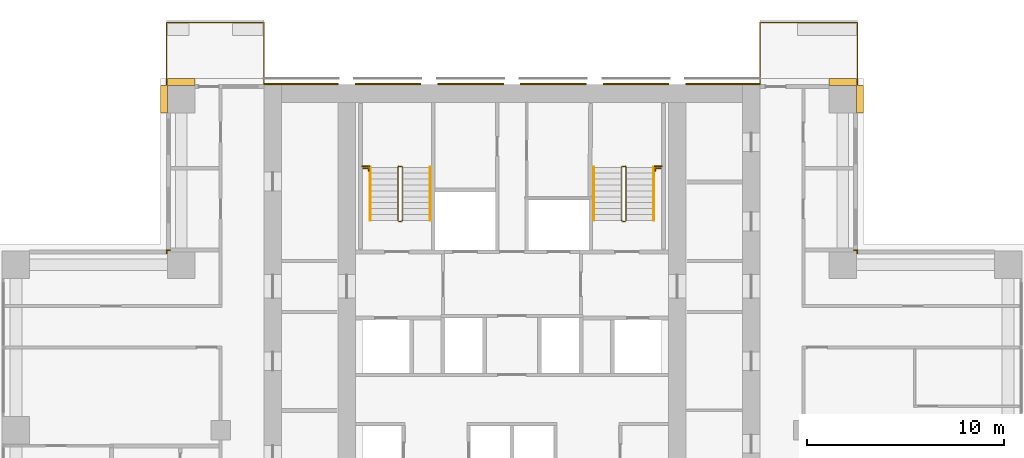
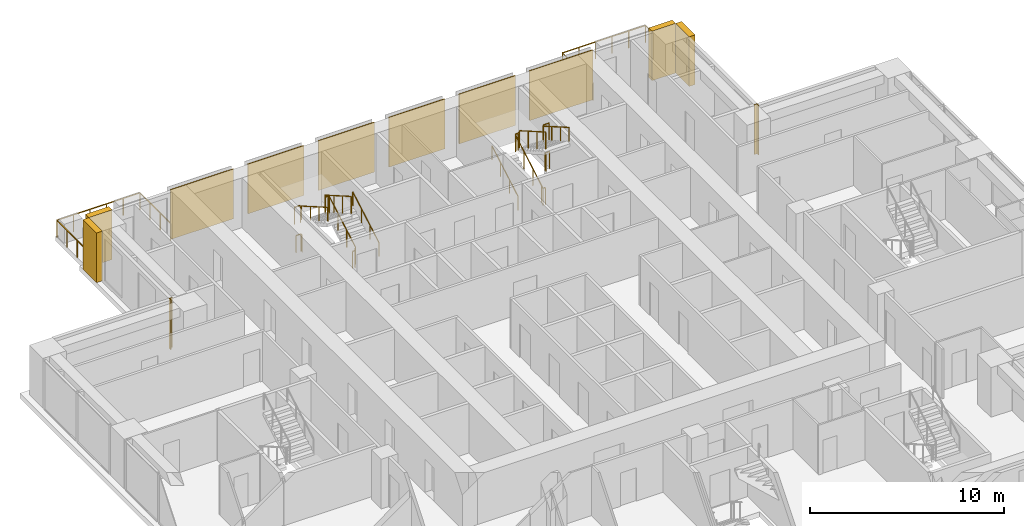
# One storey, part 17 of 17: 12 coverings, 12 railings.
"""IFC4 building model written with IfcOpenShell, lengths in metres."""

import ifcopenshell
import ifcopenshell.guid

model = None  # the IFC model being written
_history = None  # IfcOwnerHistory: only IFC2X3 demands one
_inside = {}  # id of a spatial element -> (the spatial element, [elements in it])
_under = {}  # id of a project, library or spatial element -> (it, [spatial elements below it])
_declared = {}  # id of a project -> (the project, [libraries it declares])
_typed = {}  # id of a type object -> (the type object, [elements of that type])
_made_of = {}  # id of a material, layer set ... -> (it, [elements and type objects made of it])


def new_model(schema):
    """Start an empty IFC model of exactly this schema.

    Asked for "IFC4X3", IfcOpenShell would pick the latest addendum, in which some entities
    have other attributes; the version numbers below select the first issue.
    IFC2X3 requires an IfcOwnerHistory on every rooted entity: one is made here for all.
    """
    global model, _history
    if schema == "IFC4X3":
        model = ifcopenshell.file(schema_version=(4, 3, 0, 0))
    else:
        model = ifcopenshell.file(schema=schema)
    _inside.clear()
    _under.clear()
    _declared.clear()
    _typed.clear()
    _made_of.clear()
    _history = None
    if model.schema == "IFC2X3":
        org = make("IfcOrganization", Name="unknown")
        user = make(
            "IfcPersonAndOrganization",
            ThePerson=make("IfcPerson", FamilyName="unknown"),
            TheOrganization=org,
        )
        app = make(
            "IfcApplication",
            ApplicationDeveloper=org,
            Version="unknown",
            ApplicationFullName="unknown",
            ApplicationIdentifier="unknown",
        )
        _history = make(
            "IfcOwnerHistory",
            OwningUser=user,
            OwningApplication=app,
            ChangeAction="ADDED",
            CreationDate=0,
        )
    return model


def make(cls, **values):
    """One entity of the class cls with the attributes given. An attribute that is None is left unset."""
    return model.create_entity(
        cls, **{name: value for name, value in values.items() if value is not None}
    )


def rooted(cls, **values):
    """An entity with a GlobalId (a new one), such as an element, a storey or a relation."""
    return make(cls, GlobalId=ifcopenshell.guid.new(), OwnerHistory=_history, **values)


def si_unit(unit_type, name, prefix=None):
    """IfcSIUnit, for example si_unit("LENGTHUNIT", "METRE", prefix="MILLI")."""
    return make("IfcSIUnit", UnitType=unit_type, Prefix=prefix, Name=name)


def assignment(units):
    """IfcUnitAssignment: the units of a project."""
    return None if units is None else make("IfcUnitAssignment", Units=units)


def point(xyz):
    """IfcCartesianPoint."""
    return None if xyz is None else make("IfcCartesianPoint", Coordinates=xyz)


def direction(xyz):
    """IfcDirection."""
    return None if xyz is None else make("IfcDirection", DirectionRatios=xyz)


def frame(location, z_axis=None, x_axis=None):
    """IfcAxis2Placement3D, a coordinate frame: its origin and axes. An axis left out is left unset."""
    return make(
        "IfcAxis2Placement3D",
        Location=point(location),
        Axis=direction(z_axis),
        RefDirection=direction(x_axis),
    )


def frame_2d(location, x_axis=None):
    """IfcAxis2Placement2D, a coordinate frame in the plane: its origin and x axis."""
    return make(
        "IfcAxis2Placement2D", Location=point(location), RefDirection=direction(x_axis)
    )


def origin():
    """The frame at (0, 0, 0) with its axes left unset."""
    return frame((0.0, 0.0, 0.0))


def origin_2d():
    """The frame at (0, 0) in the plane with its x axis left unset."""
    return frame_2d((0.0, 0.0))


def place(relative_to, where):
    """IfcLocalPlacement: puts the frame where relative to a parent placement (None: the world)."""
    return make(
        "IfcLocalPlacement", PlacementRelTo=relative_to, RelativePlacement=where
    )


def context(
    kind, dimensions, precision=None, world=None, true_north=None, identifier=None
):
    """IfcGeometricRepresentationContext, for example the 3D "Model" context."""
    return make(
        "IfcGeometricRepresentationContext",
        ContextIdentifier=identifier,
        ContextType=kind,
        CoordinateSpaceDimension=dimensions,
        Precision=precision,
        WorldCoordinateSystem=world,
        TrueNorth=true_north,
    )


def subcontext(parent, identifier, kind, view, scale=None):
    """IfcGeometricRepresentationSubContext, for example "Body" below "Model"."""
    return make(
        "IfcGeometricRepresentationSubContext",
        ContextIdentifier=identifier,
        ContextType=kind,
        ParentContext=parent,
        TargetScale=scale,
        TargetView=view,
    )


def project(units=None, contexts=None):
    """IfcProject with its units and contexts."""
    return rooted(
        "IfcProject",
        Name="project",
        RepresentationContexts=contexts,
        UnitsInContext=assignment(units),
    )


def spatial(cls, under=None, at=None, **own):
    """A site, building, storey or space (cls), placed at a placement, below another one or the project."""
    s = rooted(cls, ObjectPlacement=at, **own)
    if under is not None:
        _under.setdefault(under.id(), (under, []))[1].append(s)
    return s


def polyline(points):
    """IfcPolyline through the points."""
    return make("IfcPolyline", Points=[point(p) for p in points])


def profile(cls, at=None, kind="AREA", **sizes):
    """A parametric profile (cls). Its sizes go by their IFC names, for example OverallWidth=200.0."""
    return make(cls, ProfileType=kind, Position=at, **sizes)


def rectangle(**sizes):
    """IfcRectangleProfileDef."""
    return profile("IfcRectangleProfileDef", **sizes)


def outline(outer, holes=None, kind="AREA"):
    """IfcArbitraryClosedProfileDef: a profile drawn as a closed curve; with holes, ...WithVoids."""
    if holes is None:
        return make("IfcArbitraryClosedProfileDef", ProfileType=kind, OuterCurve=outer)
    return make(
        "IfcArbitraryProfileDefWithVoids",
        ProfileType=kind,
        OuterCurve=outer,
        InnerCurves=holes,
    )


def extrude(swept, where, along, depth):
    """IfcExtrudedAreaSolid: the profile swept, set in the frame where, extruded along a direction by depth."""
    return make(
        "IfcExtrudedAreaSolid",
        SweptArea=swept,
        Position=where,
        ExtrudedDirection=direction(along),
        Depth=depth,
    )


def shape(context_of_items, identifier, shape_type, items):
    """IfcShapeRepresentation: the items that make up one representation, for example the "Body"."""
    return make(
        "IfcShapeRepresentation",
        ContextOfItems=context_of_items,
        RepresentationIdentifier=identifier,
        RepresentationType=shape_type,
        Items=items,
    )


def material(Name=None, Category=None):
    """IfcMaterial."""
    return make("IfcMaterial", Name=Name, Category=Category)


def made_of(thing, what):
    """Note that an element or type object is made of a material, layer set ...; save() writes the relation."""
    if what is not None:
        _made_of.setdefault(what.id(), (what, []))[1].append(thing)
    return thing


def type_object(cls, material=None, **own):
    """A type object (cls), such as IfcWallType, which elements share."""
    return made_of(rooted(cls, **own), material)


def element(
    cls,
    number,
    at=None,
    inside=None,
    cuts=None,
    type_object=None,
    material=None,
    context=None,
    identifier="Body",
    shape_type=None,
    held_by="IfcProductDefinitionShape",
    body=None,
    shapes=None,
    **own,
):
    """One element of the class cls, such as IfcWall. Its Tag is "e" and its number.

    at: its placement. inside: the storey or other place that contains it. cuts: it is an
    opening in that element (IfcRelVoidsElement). A single representation is given by context,
    identifier, shape_type and body (its items); several are given by shapes. held_by: the class
    of the entity that holds the representations. save() writes the other relations.
    """
    e = rooted(cls, Tag="e%d" % number, ObjectPlacement=at, **own)
    if body is not None:
        shapes = [shape(context, identifier, shape_type, body)]
    if shapes is not None:
        e.Representation = make(held_by, Representations=shapes)
    if inside is not None:
        _inside.setdefault(inside.id(), (inside, []))[1].append(e)
    if cuts is not None:
        rooted(
            "IfcRelVoidsElement", RelatingBuildingElement=cuts, RelatedOpeningElement=e
        )
    if type_object is not None:
        _typed.setdefault(type_object.id(), (type_object, []))[1].append(e)
    return made_of(e, material)


def aggregate(whole, parts):
    """IfcRelAggregates: a whole, such as a stair, and the parts it consists of."""
    return rooted("IfcRelAggregates", RelatingObject=whole, RelatedObjects=parts)


def save(model, path):
    """Write the relations noted so far, then the file.

    IfcRelAggregates (storeys below a building ...), IfcRelContainedInSpatialStructure (elements
    in a storey), IfcRelDefinesByType, IfcRelAssociatesMaterial and IfcRelDeclares: one each for
    every whole, place, type object, material and project.
    """
    for whole, parts in _under.values():
        aggregate(whole, parts)
    for where, things in _inside.values():
        rooted(
            "IfcRelContainedInSpatialStructure",
            RelatedElements=things,
            RelatingStructure=where,
        )
    for kind, things in _typed.values():
        rooted("IfcRelDefinesByType", RelatedObjects=things, RelatingType=kind)
    for what, things in _made_of.values():
        rooted("IfcRelAssociatesMaterial", RelatedObjects=things, RelatingMaterial=what)
    for by, libraries in _declared.values():
        rooted("IfcRelDeclares", RelatingContext=by, RelatedDefinitions=libraries)
    model.write(path)


model = new_model("IFC4")

# Units and contexts
model_context = context("Model", 3, precision=1e-05, world=origin(), true_north=direction((0.0, 1.0)))
body_context = subcontext(model_context, "Body", "Model", "MODEL_VIEW")
ifc_project = project(units=[si_unit("LENGTHUNIT", "METRE"), si_unit("AREAUNIT", "SQUARE_METRE"), si_unit("VOLUMEUNIT", "CUBIC_METRE"), si_unit("PLANEANGLEUNIT", "RADIAN"), si_unit("MASSUNIT", "GRAM", prefix="KILO")], contexts=[model_context])

# Site, building, storey
site_placement = place(None, origin())
site = spatial("IfcSite", under=ifc_project, at=site_placement, CompositionType="ELEMENT")
building_placement = place(site_placement, origin())
building = spatial("IfcBuilding", under=site, at=building_placement, Name="Vermilion Ogive Tower", CompositionType="ELEMENT")
storey_placement = place(building_placement, frame((0.0, 0.0, 65.550048828125)))
storey = spatial("IfcBuildingStorey", under=building, at=storey_placement, Name="L15", CompositionType="ELEMENT", Elevation=65.550048828125)

# Railings
ifc_material_1 = material(Name="Stainless steel and glass", Category="steel")
railing_type_1 = type_object("IfcRailingType", Name="Balcony guard", PredefinedType="GUARDRAIL", material=ifc_material_1)
railing_1_placement = place(storey_placement, frame((17.550048828125, 21.75, -0.0400390625)))
element("IfcRailing", 1, at=railing_1_placement, inside=storey, type_object=railing_type_1, Name="Guard N101", PredefinedType="GUARDRAIL", context=body_context, shape_type="SweptSolid", body=[
    extrude(rectangle(XDim=0.048095703125, YDim=0.048095703125, at=origin_2d()), frame((0.0, 0.0, 1.076171875), z_axis=(0.0, 1.0, 0.0), x_axis=(-1.0, 0.0, 0.0)), (0.0, 0.0, 1.0), 3.159912109375),
    extrude(rectangle(XDim=0.048095703125, YDim=0.048095703125, at=origin_2d()), frame((0.0, 3.159912109375, 1.076171875), z_axis=(-1.0, 0.0, 0.0), x_axis=(0.0, -1.0, 0.0)), (0.0, 0.0, 1.0), 4.949951171875),
    extrude(rectangle(XDim=0.048095703125, YDim=0.048095703125, at=origin_2d()), frame((-4.949951171875, 3.159912109375, 1.076171875), z_axis=(0.0, -1.0, 0.0), x_axis=(1.0, 0.0, 0.0)), (0.0, 0.0, 1.0), 3.159912109375),
    extrude(rectangle(XDim=0.0419921875, YDim=0.0419921875, at=origin_2d()), origin(), (0.0, 0.0, 1.0), 1.052001953125),
    extrude(rectangle(XDim=0.0419921875, YDim=0.0419921875, at=origin_2d()), frame((0.0, 1.05322265625, 0.0)), (0.0, 0.0, 1.0), 1.052001953125),
    extrude(rectangle(XDim=0.0419921875, YDim=0.0419921875, at=origin_2d()), frame((0.0, 2.106689453125, 0.0)), (0.0, 0.0, 1.0), 1.052001953125),
    extrude(rectangle(XDim=0.0419921875, YDim=0.0419921875, at=origin_2d()), frame((0.0, 3.159912109375, 0.0)), (0.0, 0.0, 1.0), 1.052001953125),
    extrude(rectangle(XDim=0.0419921875, YDim=0.0419921875, at=origin_2d()), frame((-0.989990234375, 3.159912109375, 0.0)), (0.0, 0.0, 1.0), 1.052001953125),
    extrude(rectangle(XDim=0.0419921875, YDim=0.0419921875, at=origin_2d()), frame((-1.97998046875, 3.159912109375, 0.0)), (0.0, 0.0, 1.0), 1.052001953125),
    extrude(rectangle(XDim=0.0419921875, YDim=0.0419921875, at=origin_2d()), frame((-2.969970703125, 3.159912109375, 0.0)), (0.0, 0.0, 1.0), 1.052001953125),
    extrude(rectangle(XDim=0.0419921875, YDim=0.0419921875, at=origin_2d()), frame((-3.9599609375, 3.159912109375, 0.0)), (0.0, 0.0, 1.0), 1.052001953125),
    extrude(rectangle(XDim=0.0419921875, YDim=0.0419921875, at=origin_2d()), frame((-4.949951171875, 3.159912109375, 0.0)), (0.0, 0.0, 1.0), 1.052001953125),
    extrude(rectangle(XDim=0.0419921875, YDim=0.0419921875, at=origin_2d()), frame((-4.949951171875, 2.106689453125, 0.0)), (0.0, 0.0, 1.0), 1.052001953125),
    extrude(rectangle(XDim=0.0419921875, YDim=0.0419921875, at=origin_2d()), frame((-4.949951171875, 1.05322265625, 0.0)), (0.0, 0.0, 1.0), 1.052001953125),
    extrude(rectangle(XDim=0.0419921875, YDim=0.0419921875, at=origin_2d()), frame((-4.949951171875, 0.0, 0.0)), (0.0, 0.0, 1.0), 1.052001953125),
])
railing_2_placement = place(storey_placement, frame((-12.60009765625, 21.75, -0.0400390625)))
element("IfcRailing", 2, at=railing_2_placement, inside=storey, type_object=railing_type_1, Name="Guard N201", PredefinedType="GUARDRAIL", context=body_context, shape_type="SweptSolid", body=[
    extrude(rectangle(XDim=0.048095703125, YDim=0.048095703125, at=origin_2d()), frame((0.0, 0.0, 1.076171875), z_axis=(0.0, 1.0, 0.0), x_axis=(-1.0, 0.0, 0.0)), (0.0, 0.0, 1.0), 3.159912109375),
    extrude(rectangle(XDim=0.048095703125, YDim=0.048095703125, at=origin_2d()), frame((0.0, 3.159912109375, 1.076171875), z_axis=(-1.0, 0.0, 0.0), x_axis=(0.0, -1.0, 0.0)), (0.0, 0.0, 1.0), 4.949951171875),
    extrude(rectangle(XDim=0.048095703125, YDim=0.048095703125, at=origin_2d()), frame((-4.949951171875, 3.159912109375, 1.076171875), z_axis=(0.0, -1.0, 0.0), x_axis=(1.0, 0.0, 0.0)), (0.0, 0.0, 1.0), 3.159912109375),
    extrude(rectangle(XDim=0.0419921875, YDim=0.0419921875, at=origin_2d()), origin(), (0.0, 0.0, 1.0), 1.052001953125),
    extrude(rectangle(XDim=0.0419921875, YDim=0.0419921875, at=origin_2d()), frame((0.0, 1.05322265625, 0.0)), (0.0, 0.0, 1.0), 1.052001953125),
    extrude(rectangle(XDim=0.0419921875, YDim=0.0419921875, at=origin_2d()), frame((0.0, 2.106689453125, 0.0)), (0.0, 0.0, 1.0), 1.052001953125),
    extrude(rectangle(XDim=0.0419921875, YDim=0.0419921875, at=origin_2d()), frame((0.0, 3.159912109375, 0.0)), (0.0, 0.0, 1.0), 1.052001953125),
    extrude(rectangle(XDim=0.0419921875, YDim=0.0419921875, at=origin_2d()), frame((-0.989990234375, 3.159912109375, 0.0)), (0.0, 0.0, 1.0), 1.052001953125),
    extrude(rectangle(XDim=0.0419921875, YDim=0.0419921875, at=origin_2d()), frame((-1.97998046875, 3.159912109375, 0.0)), (0.0, 0.0, 1.0), 1.052001953125),
    extrude(rectangle(XDim=0.0419921875, YDim=0.0419921875, at=origin_2d()), frame((-2.969970703125, 3.159912109375, 0.0)), (0.0, 0.0, 1.0), 1.052001953125),
    extrude(rectangle(XDim=0.0419921875, YDim=0.0419921875, at=origin_2d()), frame((-3.9599609375, 3.159912109375, 0.0)), (0.0, 0.0, 1.0), 1.052001953125),
    extrude(rectangle(XDim=0.0419921875, YDim=0.0419921875, at=origin_2d()), frame((-4.949951171875, 3.159912109375, 0.0)), (0.0, 0.0, 1.0), 1.052001953125),
    extrude(rectangle(XDim=0.0419921875, YDim=0.0419921875, at=origin_2d()), frame((-4.949951171875, 2.106689453125, 0.0)), (0.0, 0.0, 1.0), 1.052001953125),
    extrude(rectangle(XDim=0.0419921875, YDim=0.0419921875, at=origin_2d()), frame((-4.949951171875, 1.05322265625, 0.0)), (0.0, 0.0, 1.0), 1.052001953125),
    extrude(rectangle(XDim=0.0419921875, YDim=0.0419921875, at=origin_2d()), frame((-4.949951171875, 0.0, 0.0)), (0.0, 0.0, 1.0), 1.052001953125),
])
ifc_material_2 = material(Name="Steel S355 painted", Category="steel")
railing_type_2 = type_object("IfcRailingType", Name="Stair guard 1100", PredefinedType="GUARDRAIL", material=ifc_material_2)
railing_3_placement = place(storey_placement, frame((-5.75, 14.800048828125, 0.0)))
element("IfcRailing", 3, at=railing_3_placement, inside=storey, type_object=railing_type_2, Name="L15 ST1 stair guard 4", PredefinedType="GUARDRAIL", context=body_context, shape_type="SweptSolid", body=[
    extrude(rectangle(XDim=0.048095703125, YDim=0.048095703125, at=origin_2d()), frame((0.0, 0.0, 1.076171875), z_axis=(1.0, 0.0, 0.0), x_axis=(0.0, 1.0, 0.0)), (0.0, 0.0, 1.0), 0.14990234375),
    extrude(rectangle(XDim=0.048095703125, YDim=0.048095703125, at=origin_2d()), frame((0.14990234375, 0.0, 1.076171875), z_axis=(0.268603158521, 0.268603158521, 0.925043072762), x_axis=(-0.707106781187, 0.707106781187, 0.0)), (0.0, 0.0, 1.0), 0.186279296875),
    extrude(rectangle(XDim=0.048095703125, YDim=0.048095703125, at=origin_2d()), frame((0.199951171875, 0.050048828125, 1.24853515625), z_axis=(0.0, 0.866903762492, 0.498475542607), x_axis=(-1.0, 0.0, 0.0)), (0.0, 0.0, 1.0), 3.114501953125),
    extrude(rectangle(XDim=0.048095703125, YDim=0.048095703125, at=origin_2d()), frame((0.199951171875, 2.75, 2.80078125), z_axis=(-0.707106781187, 0.707106781187, 0.0), x_axis=(-0.707106781187, -0.707106781187, 0.0)), (0.0, 0.0, 1.0), 0.07080078125),
    extrude(rectangle(XDim=0.048095703125, YDim=0.048095703125, at=origin_2d()), frame((0.14990234375, 2.800048828125, 2.80078125), z_axis=(-1.0, 0.0, 0.0), x_axis=(0.0, -1.0, 0.0)), (0.0, 0.0, 1.0), 0.14990234375),
    extrude(rectangle(XDim=0.048095703125, YDim=0.048095703125, at=origin_2d()), frame((0.0, 2.800048828125, 2.80078125), z_axis=(-0.268277960024, -0.268277960024, 0.925231793839), x_axis=(0.707106781187, -0.707106781187, 0.0)), (0.0, 0.0, 1.0), 0.1865234375),
    extrude(rectangle(XDim=0.048095703125, YDim=0.048095703125, at=origin_2d()), frame((-0.050048828125, 2.75, 2.9736328125), z_axis=(0.0, -0.866903762492, 0.498475542607), x_axis=(1.0, 0.0, 0.0)), (0.0, 0.0, 1.0), 3.114501953125),
    extrude(rectangle(XDim=0.0419921875, YDim=0.0419921875, at=origin_2d()), origin(), (0.0, 0.0, 1.0), 1.052001953125),
    extrude(rectangle(XDim=0.0419921875, YDim=0.0419921875, at=origin_2d()), frame((0.14990234375, 0.0, 0.0)), (0.0, 0.0, 1.0), 1.052001953125),
    extrude(rectangle(XDim=0.0419921875, YDim=0.0419921875, at=origin_2d()), frame((0.199951171875, 0.050048828125, 0.17236328125)), (0.0, 0.0, 1.0), 1.052001953125),
    extrude(rectangle(XDim=0.0419921875, YDim=0.0419921875, at=origin_2d()), frame((0.199951171875, 0.949951171875, 0.68994140625)), (0.0, 0.0, 1.0), 1.052001953125),
    extrude(rectangle(XDim=0.0419921875, YDim=0.0419921875, at=origin_2d()), frame((0.199951171875, 1.85009765625, 1.207275390625)), (0.0, 0.0, 1.0), 1.052001953125),
    extrude(rectangle(XDim=0.0419921875, YDim=0.0419921875, at=origin_2d()), frame((0.199951171875, 2.75, 1.724853515625)), (0.0, 0.0, 1.0), 1.052001953125),
    extrude(rectangle(XDim=0.0419921875, YDim=0.0419921875, at=origin_2d()), frame((0.14990234375, 2.800048828125, 1.724853515625)), (0.0, 0.0, 1.0), 1.052001953125),
    extrude(rectangle(XDim=0.0419921875, YDim=0.0419921875, at=origin_2d()), frame((0.0, 2.800048828125, 1.724853515625)), (0.0, 0.0, 1.0), 1.052001953125),
    extrude(rectangle(XDim=0.0419921875, YDim=0.0419921875, at=origin_2d()), frame((-0.050048828125, 2.75, 1.8974609375)), (0.0, 0.0, 1.0), 1.052001953125),
    extrude(rectangle(XDim=0.0419921875, YDim=0.0419921875, at=origin_2d()), frame((-0.050048828125, 1.85009765625, 2.4150390625)), (0.0, 0.0, 1.0), 1.052001953125),
    extrude(rectangle(XDim=0.0419921875, YDim=0.0419921875, at=origin_2d()), frame((-0.050048828125, 0.949951171875, 2.932373046875)), (0.0, 0.0, 1.0), 1.052001953125),
    extrude(rectangle(XDim=0.0419921875, YDim=0.0419921875, at=origin_2d()), frame((-0.050048828125, 0.050048828125, 3.449951171875)), (0.0, 0.0, 1.0), 1.052001953125),
])
railing_4_placement = place(storey_placement, frame((5.75, 14.800048828125, 0.0)))
element("IfcRailing", 4, at=railing_4_placement, inside=storey, type_object=railing_type_2, Name="L15 ST2 stair guard 4", PredefinedType="GUARDRAIL", context=body_context, shape_type="SweptSolid", body=[
    extrude(rectangle(XDim=0.048095703125, YDim=0.048095703125, at=origin_2d()), frame((0.0, 0.0, 1.076171875), z_axis=(-1.0, 0.0, 0.0), x_axis=(0.0, -1.0, 0.0)), (0.0, 0.0, 1.0), 0.14990234375),
    extrude(rectangle(XDim=0.048095703125, YDim=0.048095703125, at=origin_2d()), frame((-0.14990234375, 0.0, 1.076171875), z_axis=(-0.268603158521, 0.268603158521, 0.925043072762), x_axis=(-0.707106781187, -0.707106781187, 0.0)), (0.0, 0.0, 1.0), 0.186279296875),
    extrude(rectangle(XDim=0.048095703125, YDim=0.048095703125, at=origin_2d()), frame((-0.199951171875, 0.050048828125, 1.24853515625), z_axis=(0.0, 0.866903762492, 0.498475542607), x_axis=(-1.0, 0.0, 0.0)), (0.0, 0.0, 1.0), 3.114501953125),
    extrude(rectangle(XDim=0.048095703125, YDim=0.048095703125, at=origin_2d()), frame((-0.199951171875, 2.75, 2.80078125), z_axis=(0.707106781187, 0.707106781187, 0.0), x_axis=(-0.707106781187, 0.707106781187, 0.0)), (0.0, 0.0, 1.0), 0.07080078125),
    extrude(rectangle(XDim=0.048095703125, YDim=0.048095703125, at=origin_2d()), frame((-0.14990234375, 2.800048828125, 2.80078125), z_axis=(1.0, 0.0, 0.0), x_axis=(0.0, 1.0, 0.0)), (0.0, 0.0, 1.0), 0.14990234375),
    extrude(rectangle(XDim=0.048095703125, YDim=0.048095703125, at=origin_2d()), frame((0.0, 2.800048828125, 2.80078125), z_axis=(0.268277960024, -0.268277960024, 0.925231793839), x_axis=(0.707106781187, 0.707106781187, 0.0)), (0.0, 0.0, 1.0), 0.1865234375),
    extrude(rectangle(XDim=0.048095703125, YDim=0.048095703125, at=origin_2d()), frame((0.050048828125, 2.75, 2.9736328125), z_axis=(0.0, -0.866903762492, 0.498475542607), x_axis=(1.0, 0.0, 0.0)), (0.0, 0.0, 1.0), 3.114501953125),
    extrude(rectangle(XDim=0.0419921875, YDim=0.0419921875, at=origin_2d()), origin(), (0.0, 0.0, 1.0), 1.052001953125),
    extrude(rectangle(XDim=0.0419921875, YDim=0.0419921875, at=origin_2d()), frame((-0.14990234375, 0.0, 0.0)), (0.0, 0.0, 1.0), 1.052001953125),
    extrude(rectangle(XDim=0.0419921875, YDim=0.0419921875, at=origin_2d()), frame((-0.199951171875, 0.050048828125, 0.17236328125)), (0.0, 0.0, 1.0), 1.052001953125),
    extrude(rectangle(XDim=0.0419921875, YDim=0.0419921875, at=origin_2d()), frame((-0.199951171875, 0.949951171875, 0.68994140625)), (0.0, 0.0, 1.0), 1.052001953125),
    extrude(rectangle(XDim=0.0419921875, YDim=0.0419921875, at=origin_2d()), frame((-0.199951171875, 1.85009765625, 1.207275390625)), (0.0, 0.0, 1.0), 1.052001953125),
    extrude(rectangle(XDim=0.0419921875, YDim=0.0419921875, at=origin_2d()), frame((-0.199951171875, 2.75, 1.724853515625)), (0.0, 0.0, 1.0), 1.052001953125),
    extrude(rectangle(XDim=0.0419921875, YDim=0.0419921875, at=origin_2d()), frame((-0.14990234375, 2.800048828125, 1.724853515625)), (0.0, 0.0, 1.0), 1.052001953125),
    extrude(rectangle(XDim=0.0419921875, YDim=0.0419921875, at=origin_2d()), frame((0.0, 2.800048828125, 1.724853515625)), (0.0, 0.0, 1.0), 1.052001953125),
    extrude(rectangle(XDim=0.0419921875, YDim=0.0419921875, at=origin_2d()), frame((0.050048828125, 2.75, 1.8974609375)), (0.0, 0.0, 1.0), 1.052001953125),
    extrude(rectangle(XDim=0.0419921875, YDim=0.0419921875, at=origin_2d()), frame((0.050048828125, 1.85009765625, 2.4150390625)), (0.0, 0.0, 1.0), 1.052001953125),
    extrude(rectangle(XDim=0.0419921875, YDim=0.0419921875, at=origin_2d()), frame((0.050048828125, 0.949951171875, 2.932373046875)), (0.0, 0.0, 1.0), 1.052001953125),
    extrude(rectangle(XDim=0.0419921875, YDim=0.0419921875, at=origin_2d()), frame((0.050048828125, 0.050048828125, 3.449951171875)), (0.0, 0.0, 1.0), 1.052001953125),
])
for number, where, name in (
    (5, (-7.60009765625, 17.60009765625, 1.724853515625), "L15 landing guard"),
    (6, (7.25, 17.60009765625, 1.724853515625), "L15 landing guard"),
):
    element("IfcRailing", number, at=place(storey_placement, frame(where)), inside=storey, type_object=railing_type_2, Name=name, PredefinedType="GUARDRAIL", context=body_context, shape_type="SweptSolid", body=[
        extrude(rectangle(XDim=0.048095703125, YDim=0.048095703125, at=origin_2d()), frame((0.0, 0.0, 1.076171875), z_axis=(1.0, 0.0, 0.0), x_axis=(0.0, 1.0, 0.0)), (0.0, 0.0, 1.0), 0.35009765625),
        extrude(rectangle(XDim=0.0419921875, YDim=0.0419921875, at=origin_2d()), origin(), (0.0, 0.0, 1.0), 1.052001953125),
        extrude(rectangle(XDim=0.0419921875, YDim=0.0419921875, at=origin_2d()), frame((0.35009765625, 0.0, 0.0)), (0.0, 0.0, 1.0), 1.052001953125),
    ])
railing_5_placement = place(storey_placement, frame((-7.56298828125, 17.49462890625, 0.0)))
element("IfcRailing", 7, at=railing_5_placement, inside=storey, type_object=railing_type_2, Name="L15 stair opening guard", PredefinedType="GUARDRAIL", context=body_context, shape_type="SweptSolid", body=[
    extrude(rectangle(XDim=0.048095703125, YDim=0.048095703125, at=origin_2d()), frame((0.0, 0.0, 1.076171875), z_axis=(1.0, 0.0, 0.0), x_axis=(0.0, 1.0, 0.0)), (0.0, 0.0, 1.0), 0.2900390625),
    extrude(rectangle(XDim=0.048095703125, YDim=0.048095703125, at=origin_2d()), frame((0.2900390625, 0.0, 1.076171875), z_axis=(0.0, -1.0, 0.0), x_axis=(1.0, 0.0, 0.0)), (0.0, 0.0, 1.0), 0.1201171875),
    extrude(rectangle(XDim=0.0419921875, YDim=0.0419921875, at=origin_2d()), origin(), (0.0, 0.0, 1.0), 1.052001953125),
    extrude(rectangle(XDim=0.0419921875, YDim=0.0419921875, at=origin_2d()), frame((0.2900390625, 0.0, 0.0)), (0.0, 0.0, 1.0), 1.052001953125),
    extrude(rectangle(XDim=0.0419921875, YDim=0.0419921875, at=origin_2d()), frame((0.2900390625, -0.1201171875, 0.0)), (0.0, 0.0, 1.0), 1.052001953125),
])
railing_6_placement = place(storey_placement, frame((7.27294921875, 17.37451171875, 0.0)))
element("IfcRailing", 8, at=railing_6_placement, inside=storey, type_object=railing_type_2, Name="L15 stair opening guard", PredefinedType="GUARDRAIL", context=body_context, shape_type="SweptSolid", body=[
    extrude(rectangle(XDim=0.048095703125, YDim=0.048095703125, at=origin_2d()), frame((0.0, 0.0, 1.076171875), z_axis=(0.0, 1.0, 0.0), x_axis=(-1.0, 0.0, 0.0)), (0.0, 0.0, 1.0), 0.1201171875),
    extrude(rectangle(XDim=0.048095703125, YDim=0.048095703125, at=origin_2d()), frame((0.0, 0.1201171875, 1.076171875), z_axis=(1.0, 0.0, 0.0), x_axis=(0.0, 1.0, 0.0)), (0.0, 0.0, 1.0), 0.2900390625),
    extrude(rectangle(XDim=0.0419921875, YDim=0.0419921875, at=origin_2d()), origin(), (0.0, 0.0, 1.0), 1.052001953125),
    extrude(rectangle(XDim=0.0419921875, YDim=0.0419921875, at=origin_2d()), frame((0.0, 0.1201171875, 0.0)), (0.0, 0.0, 1.0), 1.052001953125),
    extrude(rectangle(XDim=0.0419921875, YDim=0.0419921875, at=origin_2d()), frame((0.2900390625, 0.1201171875, 0.0)), (0.0, 0.0, 1.0), 1.052001953125),
])
ifc_material_3 = material(Name="Stainless steel", Category="steel")
railing_type_3 = type_object("IfcRailingType", Name="Stair handrail 900", PredefinedType="HANDRAIL", material=ifc_material_3)
railing_7_placement = place(storey_placement, frame((-4.14990234375, 14.85009765625, 0.17236328125)))
element("IfcRailing", 9, at=railing_7_placement, inside=storey, type_object=railing_type_3, Name="L15 ST1 stair handrail 1", PredefinedType="HANDRAIL", context=body_context, shape_type="SweptSolid", body=[
    extrude(rectangle(XDim=0.048095703125, YDim=0.048095703125, at=origin_2d()), frame((0.0, 0.0, 0.8759765625), z_axis=(0.0, 0.866903762492, 0.498475542607), x_axis=(-1.0, 0.0, 0.0)), (0.0, 0.0, 1.0), 3.114501953125),
    extrude(rectangle(XDim=0.0419921875, YDim=0.0419921875, at=origin_2d()), origin(), (0.0, 0.0, 1.0), 0.851806640625),
    extrude(rectangle(XDim=0.0419921875, YDim=0.0419921875, at=origin_2d()), frame((0.0, 0.89990234375, 0.517578125)), (0.0, 0.0, 1.0), 0.851806640625),
    extrude(rectangle(XDim=0.0419921875, YDim=0.0419921875, at=origin_2d()), frame((0.0, 1.800048828125, 1.034912109375)), (0.0, 0.0, 1.0), 0.851806640625),
    extrude(rectangle(XDim=0.0419921875, YDim=0.0419921875, at=origin_2d()), frame((0.0, 2.699951171875, 1.552490234375)), (0.0, 0.0, 1.0), 0.851806640625),
])
railing_8_placement = place(storey_placement, frame((-7.199951171875, 17.550048828125, 1.8974609375)))
element("IfcRailing", 10, at=railing_8_placement, inside=storey, type_object=railing_type_3, Name="L15 ST1 stair handrail 2", PredefinedType="HANDRAIL", context=body_context, shape_type="SweptSolid", body=[
    extrude(rectangle(XDim=0.048095703125, YDim=0.048095703125, at=origin_2d()), frame((0.0, 0.0, 0.8759765625), z_axis=(0.0, -0.866903762492, 0.498475542607), x_axis=(1.0, 0.0, 0.0)), (0.0, 0.0, 1.0), 3.114501953125),
    extrude(rectangle(XDim=0.0419921875, YDim=0.0419921875, at=origin_2d()), origin(), (0.0, 0.0, 1.0), 0.851806640625),
    extrude(rectangle(XDim=0.0419921875, YDim=0.0419921875, at=origin_2d()), frame((0.0, -0.89990234375, 0.517578125)), (0.0, 0.0, 1.0), 0.851806640625),
    extrude(rectangle(XDim=0.0419921875, YDim=0.0419921875, at=origin_2d()), frame((0.0, -1.800048828125, 1.034912109375)), (0.0, 0.0, 1.0), 0.851806640625),
    extrude(rectangle(XDim=0.0419921875, YDim=0.0419921875, at=origin_2d()), frame((0.0, -2.699951171875, 1.552490234375)), (0.0, 0.0, 1.0), 0.851806640625),
])
railing_9_placement = place(storey_placement, frame((4.14990234375, 14.85009765625, 0.17236328125)))
element("IfcRailing", 11, at=railing_9_placement, inside=storey, type_object=railing_type_3, Name="L15 ST2 stair handrail 1", PredefinedType="HANDRAIL", context=body_context, shape_type="SweptSolid", body=[
    extrude(rectangle(XDim=0.048095703125, YDim=0.048095703125, at=origin_2d()), frame((0.0, 0.0, 0.8759765625), z_axis=(0.0, 0.866903762492, 0.498475542607), x_axis=(-1.0, 0.0, 0.0)), (0.0, 0.0, 1.0), 3.114501953125),
    extrude(rectangle(XDim=0.0419921875, YDim=0.0419921875, at=origin_2d()), origin(), (0.0, 0.0, 1.0), 0.851806640625),
    extrude(rectangle(XDim=0.0419921875, YDim=0.0419921875, at=origin_2d()), frame((0.0, 0.89990234375, 0.517578125)), (0.0, 0.0, 1.0), 0.851806640625),
    extrude(rectangle(XDim=0.0419921875, YDim=0.0419921875, at=origin_2d()), frame((0.0, 1.800048828125, 1.034912109375)), (0.0, 0.0, 1.0), 0.851806640625),
    extrude(rectangle(XDim=0.0419921875, YDim=0.0419921875, at=origin_2d()), frame((0.0, 2.699951171875, 1.552490234375)), (0.0, 0.0, 1.0), 0.851806640625),
])
railing_10_placement = place(storey_placement, frame((7.199951171875, 17.550048828125, 1.8974609375)))
element("IfcRailing", 12, at=railing_10_placement, inside=storey, type_object=railing_type_3, Name="L15 ST2 stair handrail 2", PredefinedType="HANDRAIL", context=body_context, shape_type="SweptSolid", body=[
    extrude(rectangle(XDim=0.048095703125, YDim=0.048095703125, at=origin_2d()), frame((0.0, 0.0, 0.8759765625), z_axis=(0.0, -0.866903762492, 0.498475542607), x_axis=(1.0, 0.0, 0.0)), (0.0, 0.0, 1.0), 3.114501953125),
    extrude(rectangle(XDim=0.0419921875, YDim=0.0419921875, at=origin_2d()), origin(), (0.0, 0.0, 1.0), 0.851806640625),
    extrude(rectangle(XDim=0.0419921875, YDim=0.0419921875, at=origin_2d()), frame((0.0, -0.89990234375, 0.517578125)), (0.0, 0.0, 1.0), 0.851806640625),
    extrude(rectangle(XDim=0.0419921875, YDim=0.0419921875, at=origin_2d()), frame((0.0, -1.800048828125, 1.034912109375)), (0.0, 0.0, 1.0), 0.851806640625),
    extrude(rectangle(XDim=0.0419921875, YDim=0.0419921875, at=origin_2d()), frame((0.0, -2.699951171875, 1.552490234375)), (0.0, 0.0, 1.0), 0.851806640625),
])

# Coverings
ifc_material_4 = material(Name="Stone cladding", Category="masonry")
covering_type_1 = type_object("IfcCoveringType", Name="Stone cladding panel", PredefinedType="CLADDING", material=ifc_material_4)
covering_1_placement = place(storey_placement, origin())
element("IfcCovering", 13, at=covering_1_placement, inside=storey, type_object=covering_type_1, Name="Stone cladding panel N1", PredefinedType="CLADDING", context=body_context, shape_type="SweptSolid", body=[
    extrude(outline(polyline([(-12.590087890625, 21.75), (-8.830078125, 21.75), (-8.830078125, 21.81005859375), (-12.590087890625, 21.81005859375), (-12.590087890625, 21.75)])), origin(), (0.0, 0.0, 1.0), 3.1298828125),
])
covering_2_placement = place(storey_placement, origin())
element("IfcCovering", 14, at=covering_2_placement, inside=storey, type_object=covering_type_1, Name="Stone cladding panel N2", PredefinedType="CLADDING", context=body_context, shape_type="SweptSolid", body=[
    extrude(outline(polyline([(-7.969970703125, 21.75), (-4.6298828125, 21.75), (-4.6298828125, 21.81005859375), (-7.969970703125, 21.81005859375), (-7.969970703125, 21.75)])), origin(), (0.0, 0.0, 1.0), 3.1298828125),
])
covering_3_placement = place(storey_placement, origin())
element("IfcCovering", 15, at=covering_3_placement, inside=storey, type_object=covering_type_1, Name="Stone cladding panel N3", PredefinedType="CLADDING", context=body_context, shape_type="SweptSolid", body=[
    extrude(outline(polyline([(-3.77001953125, 21.75), (-0.429931640625, 21.75), (-0.429931640625, 21.81005859375), (-3.77001953125, 21.81005859375), (-3.77001953125, 21.75)])), origin(), (0.0, 0.0, 1.0), 3.1298828125),
])
covering_4_placement = place(storey_placement, origin())
element("IfcCovering", 16, at=covering_4_placement, inside=storey, type_object=covering_type_1, Name="Stone cladding panel N4", PredefinedType="CLADDING", context=body_context, shape_type="SweptSolid", body=[
    extrude(outline(polyline([(0.429931640625, 21.75), (3.77001953125, 21.75), (3.77001953125, 21.81005859375), (0.429931640625, 21.81005859375), (0.429931640625, 21.75)])), origin(), (0.0, 0.0, 1.0), 3.1298828125),
])
covering_5_placement = place(storey_placement, origin())
element("IfcCovering", 17, at=covering_5_placement, inside=storey, type_object=covering_type_1, Name="Stone cladding panel N5", PredefinedType="CLADDING", context=body_context, shape_type="SweptSolid", body=[
    extrude(outline(polyline([(4.6298828125, 21.75), (7.969970703125, 21.75), (7.969970703125, 21.81005859375), (4.6298828125, 21.81005859375), (4.6298828125, 21.75)])), origin(), (0.0, 0.0, 1.0), 3.1298828125),
])
covering_6_placement = place(storey_placement, origin())
element("IfcCovering", 18, at=covering_6_placement, inside=storey, type_object=covering_type_1, Name="Stone cladding panel N6", PredefinedType="CLADDING", context=body_context, shape_type="SweptSolid", body=[
    extrude(outline(polyline([(8.830078125, 21.75), (12.590087890625, 21.75), (12.590087890625, 21.81005859375), (8.830078125, 21.81005859375), (8.830078125, 21.75)])), origin(), (0.0, 0.0, 1.0), 3.1298828125),
])
ifc_material_5 = material(Name="Stone cladding", Category="masonry")
covering_type_2 = type_object("IfcCoveringType", Name="Stone pier", PredefinedType="CLADDING", material=ifc_material_5)
covering_7_placement = place(storey_placement, origin())
element("IfcCovering", 19, at=covering_7_placement, inside=storey, type_object=covering_type_2, Name="Stone corner pier X3E1", PredefinedType="CLADDING", context=body_context, shape_type="SweptSolid", body=[
    extrude(outline(polyline([(17.5, 13.14990234375), (17.5, 13.300048828125), (17.35009765625, 13.300048828125), (17.35009765625, 13.35009765625), (17.550048828125, 13.35009765625), (17.550048828125, 13.14990234375), (17.5, 13.14990234375)])), origin(), (0.0, 0.0, 1.0), 3.1298828125),
])
covering_8_placement = place(storey_placement, origin())
element("IfcCovering", 20, at=covering_8_placement, inside=storey, type_object=covering_type_2, Name="Stone corner pier X5E1", PredefinedType="CLADDING", context=body_context, shape_type="SweptSolid", body=[
    extrude(outline(polyline([(-17.35009765625, 13.300048828125), (-17.5, 13.300048828125), (-17.5, 13.14990234375), (-17.550048828125, 13.14990234375), (-17.550048828125, 13.35009765625), (-17.35009765625, 13.35009765625), (-17.35009765625, 13.300048828125)])), origin(), (0.0, 0.0, 1.0), 3.1298828125),
])
covering_9_placement = place(storey_placement, origin())
element("IfcCovering", 21, at=covering_9_placement, inside=storey, type_object=covering_type_2, Name="Stone pier P+0168+210X4", PredefinedType="CLADDING", context=body_context, shape_type="SweptSolid", body=[
    extrude(outline(polyline([(17.85009765625, 21.699951171875), (17.85009765625, 20.300048828125), (17.5, 20.300048828125), (17.5, 21.699951171875), (17.85009765625, 21.699951171875)])), origin(), (0.0, 0.0, 1.0), 3.1298828125),
])
covering_10_placement = place(storey_placement, origin())
element("IfcCovering", 22, at=covering_10_placement, inside=storey, type_object=covering_type_2, Name="Stone pier P+0168+210N1", PredefinedType="CLADDING", context=body_context, shape_type="SweptSolid", body=[
    extrude(outline(polyline([(17.5, 22.050048828125), (17.5, 21.699951171875), (16.10009765625, 21.699951171875), (16.10009765625, 22.050048828125), (17.5, 22.050048828125)])), origin(), (0.0, 0.0, 1.0), 3.1298828125),
])
covering_11_placement = place(storey_placement, origin())
element("IfcCovering", 23, at=covering_11_placement, inside=storey, type_object=covering_type_2, Name="Stone pier P-0168+210N2", PredefinedType="CLADDING", context=body_context, shape_type="SweptSolid", body=[
    extrude(outline(polyline([(-17.5, 21.699951171875), (-17.5, 22.050048828125), (-16.10009765625, 22.050048828125), (-16.10009765625, 21.699951171875), (-17.5, 21.699951171875), (-17.5, 21.699951171875)])), origin(), (0.0, 0.0, 1.0), 3.1298828125),
])
covering_12_placement = place(storey_placement, origin())
element("IfcCovering", 24, at=covering_12_placement, inside=storey, type_object=covering_type_2, Name="Stone pier P-0168+210X5", PredefinedType="CLADDING", context=body_context, shape_type="SweptSolid", body=[
    extrude(outline(polyline([(-17.85009765625, 21.699951171875), (-17.5, 21.699951171875), (-17.5, 21.699951171875), (-17.5, 20.300048828125), (-17.85009765625, 20.300048828125), (-17.85009765625, 21.699951171875)])), origin(), (0.0, 0.0, 1.0), 3.1298828125),
])

save(model, "model.ifc")
